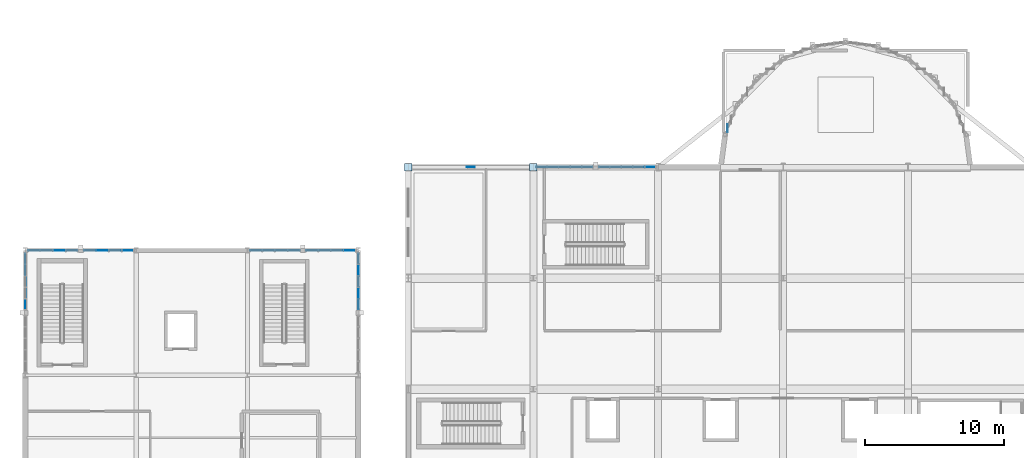
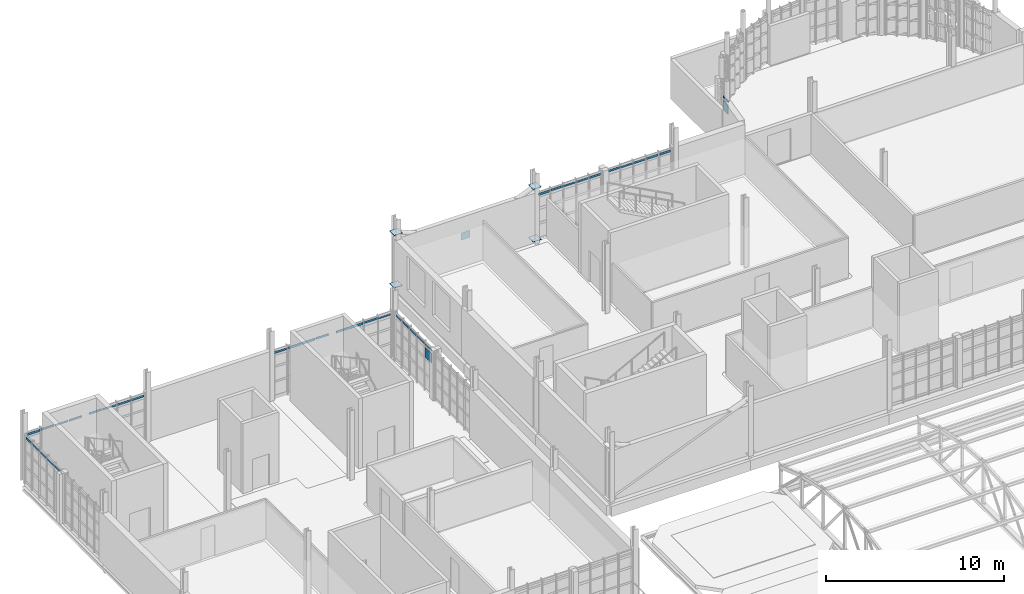
# One storey, part 99 of 128: 44 plates, 9 elements without a shape of their own.
"""IFC4 building model written with IfcOpenShell, lengths in metres."""

from ifc_helpers import new_model, si_unit, direction, frame, origin, origin_2d, place, context, subcontext, project, spatial, rectangle, extrude, material, layer, layer_set, type_object, element, aggregate, save


model = new_model("IFC4")

# Units and contexts
model_context = context("Model", 3, precision=1e-05, world=origin(), true_north=direction((0.0, 1.0)))
body_context = subcontext(model_context, "Body", "Model", "MODEL_VIEW")
ifc_project = project(units=[si_unit("LENGTHUNIT", "METRE"), si_unit("AREAUNIT", "SQUARE_METRE"), si_unit("VOLUMEUNIT", "CUBIC_METRE"), si_unit("PLANEANGLEUNIT", "RADIAN"), si_unit("MASSUNIT", "GRAM", prefix="KILO")], contexts=[model_context])

# Site, building, storey
site_placement = place(None, origin())
site = spatial("IfcSite", under=ifc_project, at=site_placement, CompositionType="ELEMENT")
building_placement = place(site_placement, origin())
building = spatial("IfcBuilding", under=site, at=building_placement, Name="Serraforn Aerial Cableway Station", CompositionType="ELEMENT")
storey_placement = place(building_placement, frame((0.0, 0.0, 9.0)))
storey = spatial("IfcBuildingStorey", under=building, at=storey_placement, Name="L02", CompositionType="ELEMENT", Elevation=9.0)

# Curtain wall, plate
ifc_material_1 = material(Name="Anodised bronze unitised curtain wall")
curtain_wall_type_1 = type_object("IfcCurtainWallType", Name="CW-SYS-27", PredefinedType="USERDEFINED", material=ifc_material_1)
curtain_wall_1_placement = place(storey_placement, origin())
curtain_wall_1 = element("IfcCurtainWall", 1, at=curtain_wall_1_placement, inside=storey, type_object=curtain_wall_type_1, Name="Unitised Curtain Wall CW-W-L02-N1A", ObjectType="UNITISED CURTAIN WALL", PredefinedType="USERDEFINED")
ifc_material_2 = material(Name="Solar-control low-E double glazing", Category="glass")
ifc_layer_1 = layer(ifc_material_2, 0.02587890625)
ifc_layer_set_1 = layer_set([ifc_layer_1], Name="Solar-control low-E double glazing")
plate_type_1 = type_object("IfcPlateType", Name="CW-GLZ-1", PredefinedType="CURTAIN_PANEL", material=ifc_layer_set_1)
plate_1_placement = place(storey_placement, frame((5.552001953125, 36.0, 3.08251953125), z_axis=(0.0, 0.0, 1.0), x_axis=(1.0, 0.0, 0.0)))
plate_1 = element("IfcPlate", 2, at=plate_1_placement, type_object=plate_type_1, Name="Curtain Wall Panel CW-W-L02-N1A-P3-4", PredefinedType="CURTAIN_PANEL", context=body_context, shape_type="SweptSolid", body=[
    extrude(rectangle(XDim=0.85693359375, YDim=0.02587890625, at=origin_2d()), origin(), (0.0, 0.0, 1.0), 0.1201171875),
])

curtain_wall_type_2 = type_object("IfcCurtainWallType", Name="CW-SYS-28", PredefinedType="USERDEFINED", material=ifc_material_1)
curtain_wall_2_placement = place(storey_placement, origin())
curtain_wall_2 = element("IfcCurtainWall", 3, at=curtain_wall_2_placement, inside=storey, type_object=curtain_wall_type_2, Name="Unitised Curtain Wall CW-W-L02-N1B", ObjectType="UNITISED CURTAIN WALL", PredefinedType="USERDEFINED")
plate_2_placement = place(storey_placement, frame((2.43798828125, 36.0, 3.08251953125), z_axis=(0.0, 0.0, 1.0), x_axis=(1.0, 0.0, 0.0)))
plate_2 = element("IfcPlate", 4, at=plate_2_placement, type_object=plate_type_1, Name="Curtain Wall Panel CW-W-L02-N1B-P2-4", PredefinedType="CURTAIN_PANEL", context=body_context, shape_type="SweptSolid", body=[
    extrude(rectangle(XDim=0.85693359375, YDim=0.02587890625, at=origin_2d()), origin(), (0.0, 0.0, 1.0), 0.1201171875),
])

curtain_wall_type_3 = type_object("IfcCurtainWallType", Name="CW-SYS-1", PredefinedType="USERDEFINED", material=ifc_material_1)
curtain_wall_3_placement = place(storey_placement, origin())
curtain_wall_3 = element("IfcCurtainWall", 5, at=curtain_wall_3_placement, inside=storey, type_object=curtain_wall_type_3, Name="Unitised Curtain Wall CW-W-L02-N3A", ObjectType="UNITISED CURTAIN WALL", PredefinedType="USERDEFINED")
plate_3_placement = place(storey_placement, frame((23.369384765625, 36.0, 3.08251953125), z_axis=(0.0, 0.0, 1.0), x_axis=(1.0, 0.0, 0.0)))
plate_3 = element("IfcPlate", 6, at=plate_3_placement, type_object=plate_type_1, Name="Curtain Wall Panel CW-W-L02-N3A-P1-4", PredefinedType="CURTAIN_PANEL", context=body_context, shape_type="SweptSolid", body=[
    extrude(rectangle(XDim=0.819580078125, YDim=0.02587890625, at=origin_2d()), origin(), (0.0, 0.0, 1.0), 0.1201171875),
])

curtain_wall_type_4 = type_object("IfcCurtainWallType", Name="CW-SYS-6", PredefinedType="USERDEFINED", material=ifc_material_1)
curtain_wall_4_placement = place(storey_placement, origin())
curtain_wall_4 = element("IfcCurtainWall", 7, at=curtain_wall_4_placement, inside=storey, type_object=curtain_wall_type_4, Name="Unitised Curtain Wall CW-W-L02-E3B", ObjectType="UNITISED CURTAIN WALL", PredefinedType="USERDEFINED")
plate_4_placement = place(storey_placement, frame((24.0, 34.578125, 3.0673828125), z_axis=(0.0, 0.0, 1.0), x_axis=(1.0, 0.0, 0.0)))
plate_4 = element("IfcPlate", 8, at=plate_4_placement, type_object=plate_type_1, Name="Curtain Wall Panel CW-W-L02-E3B-P4-4", PredefinedType="CURTAIN_PANEL", context=body_context, shape_type="SweptSolid", body=[
    extrude(rectangle(XDim=0.02587890625, YDim=0.764892578125, at=origin_2d()), origin(), (0.0, 0.0, 1.0), 0.150146484375),
])

curtain_wall_type_5 = type_object("IfcCurtainWallType", Name="CW-SYS-17", PredefinedType="USERDEFINED", material=ifc_material_1)
curtain_wall_5_placement = place(storey_placement, origin())
curtain_wall_5 = element("IfcCurtainWall", 9, at=curtain_wall_5_placement, inside=storey, type_object=curtain_wall_type_5, Name="Unitised Curtain Wall CW-CV-L02-N2A", ObjectType="UNITISED CURTAIN WALL", PredefinedType="USERDEFINED")
plate_5_placement = place(storey_placement, frame((45.02099609375, 42.0, 3.0625), z_axis=(0.0, 0.0, 1.0), x_axis=(1.0, 0.0, 0.0)))
plate_5 = element("IfcPlate", 10, at=plate_5_placement, type_object=plate_type_1, Name="Curtain Wall Panel CW-CV-L02-N2A-P1-4", PredefinedType="CURTAIN_PANEL", context=body_context, shape_type="SweptSolid", body=[
    extrude(rectangle(XDim=0.745849609375, YDim=0.02587890625, at=origin_2d()), origin(), (0.0, 0.0, 1.0), 0.16259765625),
])

# Plate
ifc_layer_2 = layer(ifc_material_2, 0.028076171875)
ifc_layer_set_2 = layer_set([ifc_layer_2], Name="Solar-control low-E double glazing")
plate_type_2 = type_object("IfcPlateType", Name="CW-GLZ-2", PredefinedType="CURTAIN_PANEL", material=ifc_layer_set_2)
plate_6_placement = place(storey_placement, frame((4.6552734375, 36.0, 3.090087890625), z_axis=(0.0, 0.0, 1.0), x_axis=(1.0, 0.0, 0.0)))
plate_6 = element("IfcPlate", 11, at=plate_6_placement, type_object=plate_type_2, Name="Curtain Wall Panel CW-W-L02-N1A-P4-4", PredefinedType="CURTAIN_PANEL", context=body_context, shape_type="SweptSolid", body=[
    extrude(rectangle(XDim=0.83447265625, YDim=0.028076171875, at=origin_2d()), origin(), (0.0, 0.0, 1.0), 0.14013671875),
])

plate_7_placement = place(storey_placement, frame((1.5263671875, 36.0, 3.090087890625), z_axis=(0.0, 0.0, 1.0), x_axis=(1.0, 0.0, 0.0)))
plate_7 = element("IfcPlate", 12, at=plate_7_placement, type_object=plate_type_2, Name="Curtain Wall Panel CW-W-L02-N1B-P3-4", PredefinedType="CURTAIN_PANEL", context=body_context, shape_type="SweptSolid", body=[
    extrude(rectangle(XDim=0.864501953125, YDim=0.028076171875, at=origin_2d()), origin(), (0.0, 0.0, 1.0), 0.14013671875),
])

plate_8_placement = place(storey_placement, frame((22.476318359375, 36.0, 3.090087890625), z_axis=(0.0, 0.0, 1.0), x_axis=(1.0, 0.0, 0.0)))
plate_8 = element("IfcPlate", 13, at=plate_8_placement, type_object=plate_type_2, Name="Curtain Wall Panel CW-W-L02-N3A-P2-4", PredefinedType="CURTAIN_PANEL", context=body_context, shape_type="SweptSolid", body=[
    extrude(rectangle(XDim=0.864501953125, YDim=0.028076171875, at=origin_2d()), origin(), (0.0, 0.0, 1.0), 0.14013671875),
])

# Curtain wall, plate
curtain_wall_type_6 = type_object("IfcCurtainWallType", Name="CW-SYS-2", PredefinedType="USERDEFINED", material=ifc_material_1)
curtain_wall_6_placement = place(storey_placement, origin())
curtain_wall_6 = element("IfcCurtainWall", 14, at=curtain_wall_6_placement, inside=storey, type_object=curtain_wall_type_6, Name="Unitised Curtain Wall CW-W-L02-N3B", ObjectType="UNITISED CURTAIN WALL", PredefinedType="USERDEFINED")
plate_9_placement = place(storey_placement, frame((19.348388671875, 36.0, 3.090087890625), z_axis=(0.0, 0.0, 1.0), x_axis=(1.0, 0.0, 0.0)))
plate_9 = element("IfcPlate", 15, at=plate_9_placement, type_object=plate_type_2, Name="Curtain Wall Panel CW-W-L02-N3B-P1-4", PredefinedType="CURTAIN_PANEL", context=body_context, shape_type="SweptSolid", body=[
    extrude(rectangle(XDim=0.8369140625, YDim=0.028076171875, at=origin_2d()), origin(), (0.0, 0.0, 1.0), 0.14013671875),
])

# Plate
plate_10_placement = place(storey_placement, frame((24.0, 35.3876953125, 3.0751953125), z_axis=(0.0, 0.0, 1.0), x_axis=(1.0, 0.0, 0.0)))
plate_10 = element("IfcPlate", 16, at=plate_10_placement, type_object=plate_type_2, Name="Curtain Wall Panel CW-W-L02-E3B-P5-4", PredefinedType="CURTAIN_PANEL", context=body_context, shape_type="SweptSolid", body=[
    extrude(rectangle(XDim=0.028076171875, YDim=0.722412109375, at=origin_2d()), origin(), (0.0, 0.0, 1.0), 0.135009765625),
])

plate_11_placement = place(storey_placement, frame((44.20166015625, 42.0, 3.0673828125), z_axis=(0.0, 0.0, 1.0), x_axis=(1.0, 0.0, 0.0)))
plate_11 = element("IfcPlate", 17, at=plate_11_placement, type_object=plate_type_2, Name="Curtain Wall Panel CW-CV-L02-N2A-P2-4", PredefinedType="CURTAIN_PANEL", context=body_context, shape_type="SweptSolid", body=[
    extrude(rectangle(XDim=0.77099609375, YDim=0.028076171875, at=origin_2d()), origin(), (0.0, 0.0, 1.0), 0.150146484375),
])

# Curtain wall, plate
curtain_wall_type_7 = type_object("IfcCurtainWallType", Name="CW-SYS-18", PredefinedType="USERDEFINED", material=ifc_material_1)
curtain_wall_7_placement = place(storey_placement, origin())
curtain_wall_7 = element("IfcCurtainWall", 18, at=curtain_wall_7_placement, inside=storey, type_object=curtain_wall_type_7, Name="Unitised Curtain Wall CW-CV-L02-N2B", ObjectType="UNITISED CURTAIN WALL", PredefinedType="USERDEFINED")
plate_12_placement = place(storey_placement, frame((40.48779296875, 42.0, 3.0673828125), z_axis=(0.0, 0.0, 1.0), x_axis=(1.0, 0.0, 0.0)))
plate_12 = element("IfcPlate", 19, at=plate_12_placement, type_object=plate_type_2, Name="Curtain Wall Panel CW-CV-L02-N2B-P1-4", PredefinedType="CURTAIN_PANEL", context=body_context, shape_type="SweptSolid", body=[
    extrude(rectangle(XDim=0.73828125, YDim=0.028076171875, at=origin_2d()), origin(), (0.0, 0.0, 1.0), 0.150146484375),
])

curtain_wall_type_8 = type_object("IfcCurtainWallType", Name="CW-SYS-5", PredefinedType="USERDEFINED", material=ifc_material_1)
curtain_wall_8_placement = place(storey_placement, origin())
curtain_wall_8 = element("IfcCurtainWall", 20, at=curtain_wall_8_placement, inside=storey, type_object=curtain_wall_type_8, Name="Unitised Curtain Wall CW-AP-L02-R2", ObjectType="UNITISED CURTAIN WALL", PredefinedType="USERDEFINED")
plate_13_placement = place(storey_placement, frame((50.60498046875, 44.807861328125, 2.25439453125), z_axis=(0.0, 0.0, 1.0), x_axis=(1.0, 0.0, 0.0)))
plate_13 = element("IfcPlate", 21, at=plate_13_placement, type_object=plate_type_2, Name="Curtain Wall Panel CW-AP-L02-R2-P3-3", PredefinedType="CURTAIN_PANEL", context=body_context, shape_type="SweptSolid", body=[
    extrude(rectangle(XDim=0.028076171875, YDim=0.5771484375, at=origin_2d()), origin(), (0.0, 0.0, 1.0), 0.682373046875),
])

# Plate
ifc_layer_3 = layer(ifc_material_2, 0.030029296875)
ifc_layer_set_3 = layer_set([ifc_layer_3], Name="Solar-control low-E double glazing")
plate_type_3 = type_object("IfcPlateType", Name="CW-GLZ-3", PredefinedType="CURTAIN_PANEL", material=ifc_layer_set_3)
plate_14_placement = place(storey_placement, frame((0.62451171875, 36.0, 3.0625), z_axis=(0.0, 0.0, 1.0), x_axis=(1.0, 0.0, 0.0)))
plate_14 = element("IfcPlate", 22, at=plate_14_placement, type_object=plate_type_3, Name="Curtain Wall Panel CW-W-L02-N1B-P4-4", PredefinedType="CURTAIN_PANEL", context=body_context, shape_type="SweptSolid", body=[
    extrude(rectangle(XDim=0.826904296875, YDim=0.030029296875, at=origin_2d()), origin(), (0.0, 0.0, 1.0), 0.16259765625),
])

plate_15_placement = place(storey_placement, frame((21.558349609375, 36.0, 3.0625), z_axis=(0.0, 0.0, 1.0), x_axis=(1.0, 0.0, 0.0)))
plate_15 = element("IfcPlate", 23, at=plate_15_placement, type_object=plate_type_3, Name="Curtain Wall Panel CW-W-L02-N3A-P3-4", PredefinedType="CURTAIN_PANEL", context=body_context, shape_type="SweptSolid", body=[
    extrude(rectangle(XDim=0.859619140625, YDim=0.030029296875, at=origin_2d()), origin(), (0.0, 0.0, 1.0), 0.16259765625),
])

plate_16_placement = place(storey_placement, frame((18.4443359375, 36.0, 3.0625), z_axis=(0.0, 0.0, 1.0), x_axis=(1.0, 0.0, 0.0)))
plate_16 = element("IfcPlate", 24, at=plate_16_placement, type_object=plate_type_3, Name="Curtain Wall Panel CW-W-L02-N3B-P2-4", PredefinedType="CURTAIN_PANEL", context=body_context, shape_type="SweptSolid", body=[
    extrude(rectangle(XDim=0.859619140625, YDim=0.030029296875, at=origin_2d()), origin(), (0.0, 0.0, 1.0), 0.16259765625),
])

# Curtain wall, plate
curtain_wall_type_9 = type_object("IfcCurtainWallType", Name="CW-SYS-3", PredefinedType="USERDEFINED", material=ifc_material_1)
curtain_wall_9_placement = place(storey_placement, origin())
curtain_wall_9 = element("IfcCurtainWall", 25, at=curtain_wall_9_placement, inside=storey, type_object=curtain_wall_type_9, Name="Unitised Curtain Wall CW-W-L02-W3A", ObjectType="UNITISED CURTAIN WALL", PredefinedType="USERDEFINED")
plate_17_placement = place(storey_placement, frame((0.0, 35.39404296875, 3.0625), z_axis=(0.0, 0.0, 1.0), x_axis=(1.0, 0.0, 0.0)))
plate_17 = element("IfcPlate", 26, at=plate_17_placement, type_object=plate_type_3, Name="Curtain Wall Panel CW-W-L02-W3A-P1-4", PredefinedType="CURTAIN_PANEL", context=body_context, shape_type="SweptSolid", body=[
    extrude(rectangle(XDim=0.030029296875, YDim=0.739990234375, at=origin_2d()), origin(), (0.0, 0.0, 1.0), 0.16259765625),
])

# Plate
plate_18_placement = place(storey_placement, frame((43.3671875, 42.0, 3.0751953125), z_axis=(0.0, 0.0, 1.0), x_axis=(1.0, 0.0, 0.0)))
plate_18 = element("IfcPlate", 27, at=plate_18_placement, type_object=plate_type_3, Name="Curtain Wall Panel CW-CV-L02-N2A-P3-4", PredefinedType="CURTAIN_PANEL", context=body_context, shape_type="SweptSolid", body=[
    extrude(rectangle(XDim=0.765869140625, YDim=0.030029296875, at=origin_2d()), origin(), (0.0, 0.0, 1.0), 0.135009765625),
])

plate_19_placement = place(storey_placement, frame((39.669677734375, 42.0, 3.0751953125), z_axis=(0.0, 0.0, 1.0), x_axis=(1.0, 0.0, 0.0)))
plate_19 = element("IfcPlate", 28, at=plate_19_placement, type_object=plate_type_3, Name="Curtain Wall Panel CW-CV-L02-N2B-P2-4", PredefinedType="CURTAIN_PANEL", context=body_context, shape_type="SweptSolid", body=[
    extrude(rectangle(XDim=0.765869140625, YDim=0.030029296875, at=origin_2d()), origin(), (0.0, 0.0, 1.0), 0.135009765625),
])

plate_20_placement = place(storey_placement, frame((50.60498046875, 44.807861328125, 3.08251953125), z_axis=(0.0, 0.0, 1.0), x_axis=(1.0, 0.0, 0.0)))
plate_20 = element("IfcPlate", 29, at=plate_20_placement, type_object=plate_type_3, Name="Curtain Wall Panel CW-AP-L02-R2-P3-4", PredefinedType="CURTAIN_PANEL", context=body_context, shape_type="SweptSolid", body=[
    extrude(rectangle(XDim=0.030029296875, YDim=0.5771484375, at=origin_2d()), origin(), (0.0, 0.0, 1.0), 0.1201171875),
])

aggregate(curtain_wall_8, [plate_13, plate_20])

ifc_layer_4 = layer(ifc_material_2, 0.031982421875)
ifc_layer_set_4 = layer_set([ifc_layer_4], Name="Solar-control low-E double glazing")
plate_type_4 = type_object("IfcPlateType", Name="CW-GLZ-4", PredefinedType="CURTAIN_PANEL", material=ifc_layer_set_4)
plate_21_placement = place(storey_placement, frame((20.65771484375, 36.0, 3.0673828125), z_axis=(0.0, 0.0, 1.0), x_axis=(1.0, 0.0, 0.0)))
plate_21 = element("IfcPlate", 30, at=plate_21_placement, type_object=plate_type_4, Name="Curtain Wall Panel CW-W-L02-N3A-P4-4", PredefinedType="CURTAIN_PANEL", context=body_context, shape_type="SweptSolid", body=[
    extrude(rectangle(XDim=0.819580078125, YDim=0.031982421875, at=origin_2d()), origin(), (0.0, 0.0, 1.0), 0.150146484375),
])

aggregate(curtain_wall_3, [plate_3, plate_8, plate_15, plate_21])

plate_22_placement = place(storey_placement, frame((17.5263671875, 36.0, 3.0673828125), z_axis=(0.0, 0.0, 1.0), x_axis=(1.0, 0.0, 0.0)))
plate_22 = element("IfcPlate", 31, at=plate_22_placement, type_object=plate_type_4, Name="Curtain Wall Panel CW-W-L02-N3B-P3-4", PredefinedType="CURTAIN_PANEL", context=body_context, shape_type="SweptSolid", body=[
    extrude(rectangle(XDim=0.8544921875, YDim=0.031982421875, at=origin_2d()), origin(), (0.0, 0.0, 1.0), 0.150146484375),
])

plate_23_placement = place(storey_placement, frame((0.0, 34.58056640625, 3.0673828125), z_axis=(0.0, 0.0, 1.0), x_axis=(1.0, 0.0, 0.0)))
plate_23 = element("IfcPlate", 32, at=plate_23_placement, type_object=plate_type_4, Name="Curtain Wall Panel CW-W-L02-W3A-P2-4", PredefinedType="CURTAIN_PANEL", context=body_context, shape_type="SweptSolid", body=[
    extrude(rectangle(XDim=0.031982421875, YDim=0.764892578125, at=origin_2d()), origin(), (0.0, 0.0, 1.0), 0.150146484375),
])

plate_24_placement = place(storey_placement, frame((42.526611328125, 42.0, 3.08251953125), z_axis=(0.0, 0.0, 1.0), x_axis=(1.0, 0.0, 0.0)))
plate_24 = element("IfcPlate", 33, at=plate_24_placement, type_object=plate_type_4, Name="Curtain Wall Panel CW-CV-L02-N2A-P4-4", PredefinedType="CURTAIN_PANEL", context=body_context, shape_type="SweptSolid", body=[
    extrude(rectangle(XDim=0.7734375, YDim=0.031982421875, at=origin_2d()), origin(), (0.0, 0.0, 1.0), 0.1201171875),
])

plate_25_placement = place(storey_placement, frame((38.8291015625, 42.0, 3.08251953125), z_axis=(0.0, 0.0, 1.0), x_axis=(1.0, 0.0, 0.0)))
plate_25 = element("IfcPlate", 34, at=plate_25_placement, type_object=plate_type_4, Name="Curtain Wall Panel CW-CV-L02-N2B-P3-4", PredefinedType="CURTAIN_PANEL", context=body_context, shape_type="SweptSolid", body=[
    extrude(rectangle(XDim=0.7734375, YDim=0.031982421875, at=origin_2d()), origin(), (0.0, 0.0, 1.0), 0.1201171875),
])

ifc_layer_5 = layer(ifc_material_2, 0.033935546875)
ifc_layer_set_5 = layer_set([ifc_layer_5], Name="Solar-control low-E double glazing")
plate_type_5 = type_object("IfcPlateType", Name="CW-GLZ-5", PredefinedType="CURTAIN_PANEL", material=ifc_layer_set_5)
plate_26_placement = place(storey_placement, frame((16.626953125, 36.0, 3.0751953125), z_axis=(0.0, 0.0, 1.0), x_axis=(1.0, 0.0, 0.0)))
plate_26 = element("IfcPlate", 35, at=plate_26_placement, type_object=plate_type_5, Name="Curtain Wall Panel CW-W-L02-N3B-P4-4", PredefinedType="CURTAIN_PANEL", context=body_context, shape_type="SweptSolid", body=[
    extrude(rectangle(XDim=0.81201171875, YDim=0.033935546875, at=origin_2d()), origin(), (0.0, 0.0, 1.0), 0.135009765625),
])

aggregate(curtain_wall_6, [plate_9, plate_16, plate_22, plate_26])

plate_27_placement = place(storey_placement, frame((0.0, 33.752197265625, 3.0751953125), z_axis=(0.0, 0.0, 1.0), x_axis=(1.0, 0.0, 0.0)))
plate_27 = element("IfcPlate", 36, at=plate_27_placement, type_object=plate_type_5, Name="Curtain Wall Panel CW-W-L02-W3A-P3-4", PredefinedType="CURTAIN_PANEL", context=body_context, shape_type="SweptSolid", body=[
    extrude(rectangle(XDim=0.033935546875, YDim=0.760009765625, at=origin_2d()), origin(), (0.0, 0.0, 1.0), 0.135009765625),
])

plate_28_placement = place(storey_placement, frame((24.0, 32.117919921875, 2.25439453125), z_axis=(0.0, 0.0, 1.0), x_axis=(1.0, 0.0, 0.0)))
plate_28 = element("IfcPlate", 37, at=plate_28_placement, type_object=plate_type_5, Name="Curtain Wall Panel CW-W-L02-E3B-P1-3", PredefinedType="CURTAIN_PANEL", context=body_context, shape_type="SweptSolid", body=[
    extrude(rectangle(XDim=0.033935546875, YDim=0.72998046875, at=origin_2d()), origin(), (0.0, 0.0, 1.0), 0.682373046875),
])

plate_29_placement = place(storey_placement, frame((41.71337890625, 42.0, 3.090087890625), z_axis=(0.0, 0.0, 1.0), x_axis=(1.0, 0.0, 0.0)))
plate_29 = element("IfcPlate", 38, at=plate_29_placement, type_object=plate_type_5, Name="Curtain Wall Panel CW-CV-L02-N2A-P5-4", PredefinedType="CURTAIN_PANEL", context=body_context, shape_type="SweptSolid", body=[
    extrude(rectangle(XDim=0.7509765625, YDim=0.033935546875, at=origin_2d()), origin(), (0.0, 0.0, 1.0), 0.14013671875),
])

aggregate(curtain_wall_5, [plate_5, plate_11, plate_18, plate_24, plate_29])

plate_30_placement = place(storey_placement, frame((38.000732421875, 42.0, 3.090087890625), z_axis=(0.0, 0.0, 1.0), x_axis=(1.0, 0.0, 0.0)))
plate_30 = element("IfcPlate", 39, at=plate_30_placement, type_object=plate_type_5, Name="Curtain Wall Panel CW-CV-L02-N2B-P4-4", PredefinedType="CURTAIN_PANEL", context=body_context, shape_type="SweptSolid", body=[
    extrude(rectangle(XDim=0.781005859375, YDim=0.033935546875, at=origin_2d()), origin(), (0.0, 0.0, 1.0), 0.14013671875),
])

ifc_layer_6 = layer(ifc_material_2, 0.035888671875)
ifc_layer_set_6 = layer_set([ifc_layer_6], Name="Solar-control low-E double glazing")
plate_type_6 = type_object("IfcPlateType", Name="CW-GLZ-6", PredefinedType="CURTAIN_PANEL", material=ifc_layer_set_6)
plate_31_placement = place(storey_placement, frame((0.0, 32.91748046875, 3.08251953125), z_axis=(0.0, 0.0, 1.0), x_axis=(1.0, 0.0, 0.0)))
plate_31 = element("IfcPlate", 40, at=plate_31_placement, type_object=plate_type_6, Name="Curtain Wall Panel CW-W-L02-W3A-P4-4", PredefinedType="CURTAIN_PANEL", context=body_context, shape_type="SweptSolid", body=[
    extrude(rectangle(XDim=0.035888671875, YDim=0.767333984375, at=origin_2d()), origin(), (0.0, 0.0, 1.0), 0.1201171875),
])

plate_32_placement = place(storey_placement, frame((24.0, 32.117919921875, 3.08251953125), z_axis=(0.0, 0.0, 1.0), x_axis=(1.0, 0.0, 0.0)))
plate_32 = element("IfcPlate", 41, at=plate_32_placement, type_object=plate_type_6, Name="Curtain Wall Panel CW-W-L02-E3B-P1-4", PredefinedType="CURTAIN_PANEL", context=body_context, shape_type="SweptSolid", body=[
    extrude(rectangle(XDim=0.035888671875, YDim=0.72998046875, at=origin_2d()), origin(), (0.0, 0.0, 1.0), 0.1201171875),
])

plate_33_placement = place(storey_placement, frame((37.1826171875, 42.0, 3.0625), z_axis=(0.0, 0.0, 1.0), x_axis=(1.0, 0.0, 0.0)))
plate_33 = element("IfcPlate", 42, at=plate_33_placement, type_object=plate_type_6, Name="Curtain Wall Panel CW-CV-L02-N2B-P5-4", PredefinedType="CURTAIN_PANEL", context=body_context, shape_type="SweptSolid", body=[
    extrude(rectangle(XDim=0.743408203125, YDim=0.035888671875, at=origin_2d()), origin(), (0.0, 0.0, 1.0), 0.16259765625),
])

aggregate(curtain_wall_7, [plate_12, plate_19, plate_25, plate_30, plate_33])

ifc_layer_7 = layer(ifc_material_2, 0.029052734375)
ifc_layer_set_7 = layer_set([ifc_layer_7], Name="Solar-control low-E double glazing")
plate_type_7 = type_object("IfcPlateType", Name="CW-GLZ-7", PredefinedType="CURTAIN_PANEL", material=ifc_layer_set_7)
plate_34_placement = place(storey_placement, frame((7.3779296875, 36.0, 3.0673828125), z_axis=(0.0, 0.0, 1.0), x_axis=(1.0, 0.0, 0.0)))
plate_34 = element("IfcPlate", 43, at=plate_34_placement, type_object=plate_type_7, Name="Curtain Wall Panel CW-W-L02-N1A-P1-4", PredefinedType="CURTAIN_PANEL", context=body_context, shape_type="SweptSolid", body=[
    extrude(rectangle(XDim=0.822021484375, YDim=0.029052734375, at=origin_2d()), origin(), (0.0, 0.0, 1.0), 0.150146484375),
])

plate_35_placement = place(storey_placement, frame((0.0, 32.110595703125, 3.090087890625), z_axis=(0.0, 0.0, 1.0), x_axis=(1.0, 0.0, 0.0)))
plate_35 = element("IfcPlate", 44, at=plate_35_placement, type_object=plate_type_7, Name="Curtain Wall Panel CW-W-L02-W3A-P5-4", PredefinedType="CURTAIN_PANEL", context=body_context, shape_type="SweptSolid", body=[
    extrude(rectangle(XDim=0.029052734375, YDim=0.744873046875, at=origin_2d()), origin(), (0.0, 0.0, 1.0), 0.14013671875),
])

aggregate(curtain_wall_9, [plate_17, plate_23, plate_27, plate_31, plate_35])

plate_36_placement = place(storey_placement, frame((24.0, 32.92138671875, 3.090087890625), z_axis=(0.0, 0.0, 1.0), x_axis=(1.0, 0.0, 0.0)))
plate_36 = element("IfcPlate", 45, at=plate_36_placement, type_object=plate_type_7, Name="Curtain Wall Panel CW-W-L02-E3B-P2-4", PredefinedType="CURTAIN_PANEL", context=body_context, shape_type="SweptSolid", body=[
    extrude(rectangle(XDim=0.029052734375, YDim=0.77490234375, at=origin_2d()), origin(), (0.0, 0.0, 1.0), 0.14013671875),
])

ifc_layer_8 = layer(ifc_material_2, 0.031005859375)
ifc_layer_set_8 = layer_set([ifc_layer_8], Name="Solar-control low-E double glazing")
plate_type_8 = type_object("IfcPlateType", Name="CW-GLZ-8", PredefinedType="CURTAIN_PANEL", material=ifc_layer_set_8)
plate_37_placement = place(storey_placement, frame((6.476318359375, 36.0, 3.0751953125), z_axis=(0.0, 0.0, 1.0), x_axis=(1.0, 0.0, 0.0)))
plate_37 = element("IfcPlate", 46, at=plate_37_placement, type_object=plate_type_8, Name="Curtain Wall Panel CW-W-L02-N1A-P2-4", PredefinedType="CURTAIN_PANEL", context=body_context, shape_type="SweptSolid", body=[
    extrude(rectangle(XDim=0.849609375, YDim=0.031005859375, at=origin_2d()), origin(), (0.0, 0.0, 1.0), 0.135009765625),
])

aggregate(curtain_wall_1, [plate_34, plate_37, plate_1, plate_6])

plate_38_placement = place(storey_placement, frame((3.3447265625, 36.0, 3.0751953125), z_axis=(0.0, 0.0, 1.0), x_axis=(1.0, 0.0, 0.0)))
plate_38 = element("IfcPlate", 47, at=plate_38_placement, type_object=plate_type_8, Name="Curtain Wall Panel CW-W-L02-N1B-P1-4", PredefinedType="CURTAIN_PANEL", context=body_context, shape_type="SweptSolid", body=[
    extrude(rectangle(XDim=0.814453125, YDim=0.031005859375, at=origin_2d()), origin(), (0.0, 0.0, 1.0), 0.135009765625),
])

aggregate(curtain_wall_2, [plate_38, plate_2, plate_7, plate_14])

plate_39_placement = place(storey_placement, frame((24.0, 33.749755859375, 3.0625), z_axis=(0.0, 0.0, 1.0), x_axis=(1.0, 0.0, 0.0)))
plate_39 = element("IfcPlate", 48, at=plate_39_placement, type_object=plate_type_8, Name="Curtain Wall Panel CW-W-L02-E3B-P3-4", PredefinedType="CURTAIN_PANEL", context=body_context, shape_type="SweptSolid", body=[
    extrude(rectangle(XDim=0.031005859375, YDim=0.77001953125, at=origin_2d()), origin(), (0.0, 0.0, 1.0), 0.16259765625),
])

aggregate(curtain_wall_4, [plate_28, plate_32, plate_36, plate_39, plate_4, plate_10])

# Plates
ifc_material_3 = material(Name="Steel S355J2", Category="steel")
ifc_layer_9 = layer(ifc_material_3, 0.031982421875)
ifc_layer_set_9 = layer_set([ifc_layer_9], Name="Steel S355J2")
plate_type_9 = type_object("IfcPlateType", Name="PLT-CAP-32", PredefinedType="USERDEFINED", material=ifc_layer_set_9)
for number, where, z_axis, x_axis, name in (
    (49, (27.60009765625, 42.0, 0.18408203125), (0.0, 0.0, 1.0), (1.0, 0.0, 0.0), "Wind Brace Cap Plate 3-A"),
    (50, (36.60009765625, 42.0, 3.7841796875), (0.0, 0.0, 1.0), (1.0, 0.0, 0.0), "Wind Brace Cap Plate 3-B"),
    (51, (27.60009765625, 42.0, 3.7841796875), (0.0, 0.0, 1.0), (1.0, 0.0, 0.0), "Split X-Brace Outer Cap 3-A"),
    (52, (36.60009765625, 42.0, 0.18408203125), (0.0, 0.0, 1.0), (1.0, 0.0, 0.0), "Split X-Brace Outer Cap 3-B"),
):
    element("IfcPlate", number, at=place(storey_placement, frame(where, z_axis=z_axis, x_axis=x_axis)), inside=storey, type_object=plate_type_9, Name=name, ObjectType="CAP PLATE", PredefinedType="USERDEFINED", context=body_context, shape_type="SweptSolid", body=[
        extrude(rectangle(XDim=0.5400390625, YDim=0.5400390625, at=origin_2d()), origin(), (0.0, 0.0, 1.0), 0.031982421875),
    ])
ifc_layer_10 = layer(ifc_material_3, 0.02490234375)
ifc_layer_set_10 = layer_set([ifc_layer_10], Name="Steel S355J2")
plate_type_10 = type_object("IfcPlateType", Name="PLT-GUS-25X", PredefinedType="USERDEFINED", material=ifc_layer_set_10)
plate_40_placement = place(storey_placement, frame((32.10009765625, 42.0, 1.75), z_axis=(0.0, 0.0, 1.0), x_axis=(1.0, 0.0, 0.0)))
element("IfcPlate", 53, at=plate_40_placement, inside=storey, type_object=plate_type_10, Name="X-Brace Crossing Node Gusset 3", ObjectType="GUSSET PLATE", PredefinedType="USERDEFINED", context=body_context, shape_type="SweptSolid", body=[
    extrude(rectangle(XDim=0.60009765625, YDim=0.02490234375, at=origin_2d()), origin(), (0.0, 0.0, 1.0), 0.5),
])

save(model, "model.ifc")
